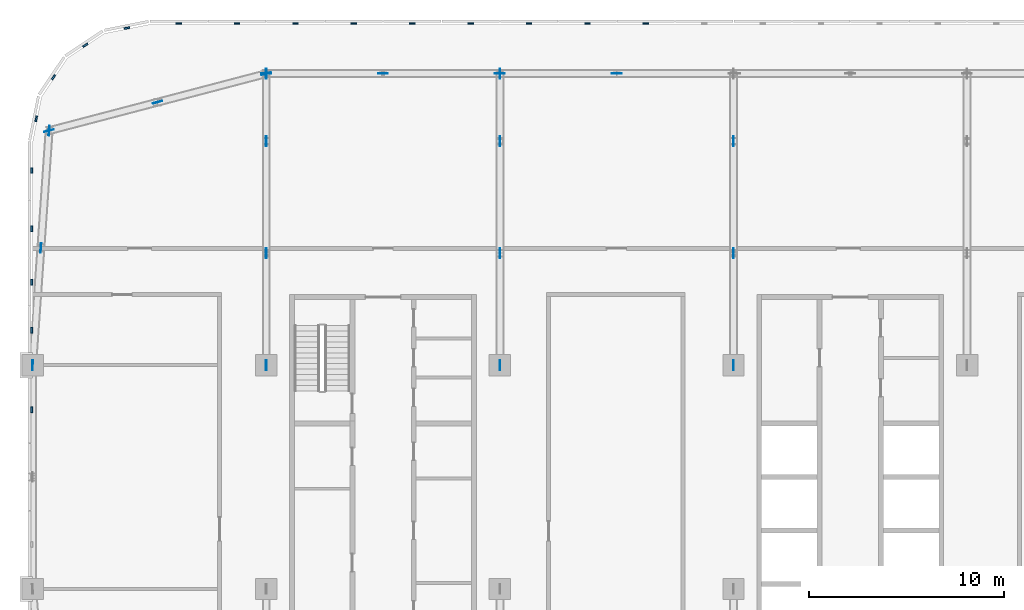
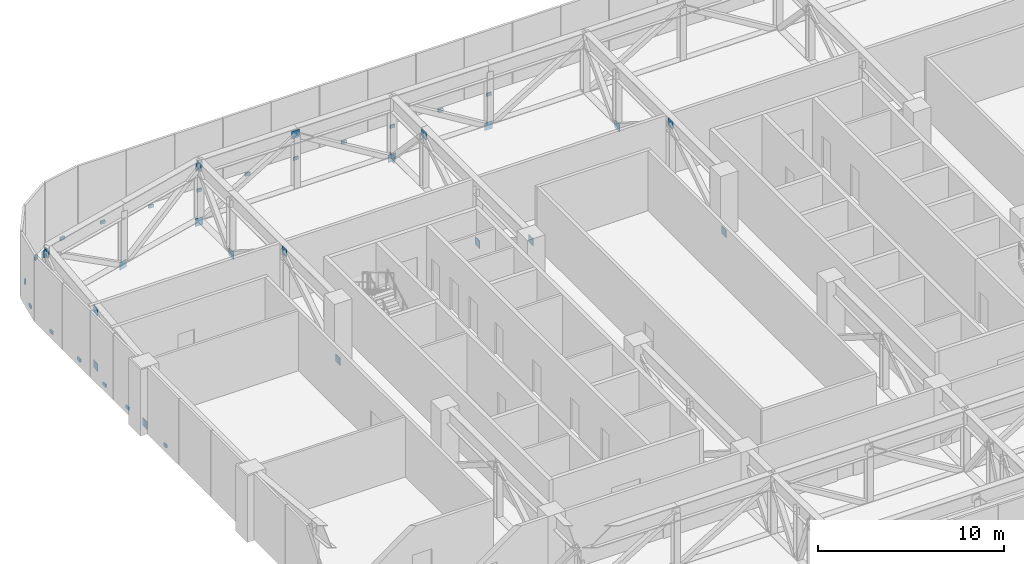
# One storey, part 19 of 28: 41 discrete accessories.
"""IFC4 building model written with IfcOpenShell, lengths in metres."""

from ifc_helpers import new_model, si_unit, direction, frame, origin, origin_2d, place, context, subcontext, project, spatial, rectangle, extrude, material, layer, layer_set, type_object, element, save


model = new_model("IFC4")

# Units and contexts
model_context = context("Model", 3, precision=1e-05, world=origin(), true_north=direction((0.0, 1.0)))
body_context = subcontext(model_context, "Body", "Model", "MODEL_VIEW")
ifc_project = project(units=[si_unit("LENGTHUNIT", "METRE"), si_unit("AREAUNIT", "SQUARE_METRE"), si_unit("VOLUMEUNIT", "CUBIC_METRE"), si_unit("PLANEANGLEUNIT", "RADIAN"), si_unit("MASSUNIT", "GRAM", prefix="KILO")], contexts=[model_context])

# Site, building, storey
site_placement = place(None, origin())
site = spatial("IfcSite", under=ifc_project, at=site_placement, CompositionType="ELEMENT")
building_placement = place(site_placement, origin())
building = spatial("IfcBuilding", under=site, at=building_placement, Name="Mahtab Terrace Research Tower", CompositionType="ELEMENT")
storey_placement = place(building_placement, frame((0.0, 0.0, 224.300048828125)))
storey = spatial("IfcBuildingStorey", under=building, at=storey_placement, Name="L54", CompositionType="ELEMENT", Elevation=224.300048828125)

# Discrete accessories
ifc_material_1 = material(Name="Black anodised aluminium", Category="aluminium")
discrete_accessory_type_1 = type_object("IfcDiscreteAccessoryType", Name="Facade bracket", PredefinedType="BRACKET", material=ifc_material_1)
for number, where, z_axis, x_axis, name in (
    (1, (-10.5, 29.044921875, -0.2998046875), (0.0, 0.0, 1.0), (-1.0, 0.0, 0.0), "Louvre bracket L54 26"),
    (2, (-13.5, 29.044921875, -0.2998046875), (0.0, 0.0, 1.0), (-1.0, 0.0, 0.0), "Louvre bracket L54 27"),
    (3, (-16.5, 29.044921875, -0.2998046875), (0.0, 0.0, 1.0), (-1.0, 0.0, 0.0), "Louvre bracket L54 28"),
    (4, (-19.5, 29.044921875, -0.2998046875), (0.0, 0.0, 1.0), (-1.0, 0.0, 0.0), "Louvre bracket L54 29"),
    (5, (-22.5, 29.044921875, -0.2998046875), (0.0, 0.0, 1.0), (-1.0, 0.0, 0.0), "Louvre bracket L54 30"),
    (6, (-25.5, 29.044921875, -0.2998046875), (0.0, 0.0, 1.0), (-1.0, 0.0, 0.0), "Louvre bracket L54 31"),
    (7, (-28.5, 29.044921875, -0.2998046875), (0.0, 0.0, 1.0), (-1.0, 0.0, 0.0), "Louvre bracket L54 32"),
    (8, (-31.5, 29.044921875, -0.2998046875), (0.0, 0.0, 1.0), (-1.0, 0.0, 0.0), "Louvre bracket L54 33"),
    (9, (-34.5, 29.044921875, -0.2998046875), (0.0, 0.0, 1.0), (-1.0, 0.0, 0.0), "Louvre bracket L54 34"),
    (10, (-37.15673828125, 28.815673828125, -0.2998046875), (0.0, 0.0, 1.0), (-0.980760981187, -0.195212442692, 0.0), "Louvre bracket L54 35"),
    (11, (-39.29443359375, 27.930419921875, -0.2998046875), (0.0, 0.0, 1.0), (-0.831655794326, -0.555291490808, 0.0), "Louvre bracket L54 36"),
    (12, (-40.930419921875, 26.29443359375, -0.2998046875), (0.0, 0.0, 1.0), (-0.555291490808, -0.831655794326, 0.0), "Louvre bracket L54 37"),
    (13, (-41.815673828125, 24.15673828125, -0.2998046875), (0.0, 0.0, 1.0), (-0.195212442692, -0.980760981187, 0.0), "Louvre bracket L54 38"),
    (14, (-42.044921875, 21.5, -0.2998046875), (0.0, 0.0, 1.0), (0.0, -1.0, 0.0), "Louvre bracket L54 39"),
    (15, (-42.044921875, 18.5, -0.2998046875), (0.0, 0.0, 1.0), (0.0, -1.0, 0.0), "Louvre bracket L54 40"),
    (16, (-42.044921875, 15.762451171875, -0.2998046875), (0.0, 0.0, 1.0), (0.0, -1.0, 0.0), "Louvre bracket L54 41"),
    (17, (-42.044921875, 13.28759765625, -0.2998046875), (0.0, 0.0, 1.0), (0.0, -1.0, 0.0), "Louvre bracket L54 42"),
    (18, (-42.044921875, 9.216552734375, -0.2998046875), (0.0, 0.0, 1.0), (0.0, -1.0, 0.0), "Louvre bracket L54 43"),
):
    element("IfcDiscreteAccessory", number, at=place(storey_placement, frame(where, z_axis=z_axis, x_axis=x_axis)), inside=storey, type_object=discrete_accessory_type_1, Name=name, PredefinedType="BRACKET", context=body_context, shape_type="SweptSolid", body=[
        extrude(rectangle(XDim=0.300048828125, YDim=0.090087890625, at=origin_2d()), origin(), (0.0, 0.0, 1.0), 0.199951171875),
    ])
ifc_material_2 = material(Name="Steel ASTM A992 Gr 50", Category="steel")
ifc_layer = layer(ifc_material_2, 0.030029296875)
ifc_layer_set = layer_set([ifc_layer], Name="Gusset plate 500x500x30")
discrete_accessory_type_2 = type_object("IfcDiscreteAccessoryType", Name="Gusset plate 500x500x30", PredefinedType="USERDEFINED", material=ifc_layer_set)
for number, where, z_axis, x_axis, name in (
    (19, (-30.0, 26.472900390625, -0.43798828125), (0.0, 0.0, 1.0), (1.0, 0.0, 0.0), "Gusset plate"),
    (20, (-24.0, 26.472900390625, 3.20947265625), (0.0, 0.0, 1.0), (1.0, 0.0, 0.0), "Gusset plate"),
    (21, (-18.0, 26.472900390625, -0.43798828125), (0.0, 0.0, 1.0), (1.0, 0.0, 0.0), "Gusset plate"),
    (22, (-12.0, 26.472900390625, -0.43798828125), (0.0, 0.0, 1.0), (1.0, 0.0, 0.0), "Gusset plate"),
    (23, (-41.154052734375, 23.5458984375, 3.20947265625), (0.0, 0.0, 1.0), (0.96727218154, 0.253741062539, 0.0), "Gusset plate"),
    (24, (-35.576904296875, 25.009033203125, -0.43798828125), (0.0, 0.0, 1.0), (0.96727218154, 0.253741062539, 0.0), "Gusset plate"),
    (25, (-30.0, 26.472900390625, 3.20947265625), (0.0, 0.0, 1.0), (0.967227880638, 0.253909879517, 0.0), "Gusset plate"),
    (26, (-42.0, 11.5, -0.43798828125), (0.0, 0.0, 1.0), (0.070052453881, 0.997543309188, 0.0), "Gusset plate"),
    (27, (-41.576904296875, 17.52294921875, -0.43798828125), (0.0, 0.0, 1.0), (0.070052453881, 0.997543309188, 0.0), "Gusset plate"),
    (28, (-41.576904296875, 17.52294921875, 3.20947265625), (0.0, 0.0, 1.0), (0.070052453881, 0.997543309188, 0.0), "Gusset plate"),
    (29, (-41.154052734375, 23.5458984375, 3.20947265625), (0.0, 0.0, 1.0), (0.070052453881, 0.997543309188, 0.0), "Gusset plate"),
    (30, (-42.0, 11.5, -0.43798828125), (0.0, 0.0, 1.0), (0.0, 1.0, 0.0), "Gusset plate"),
    (31, (-30.0, 11.5, -0.43798828125), (0.0, 0.0, 1.0), (0.0, 1.0, 0.0), "Gusset plate"),
    (32, (-30.0, 17.25, 3.20947265625), (0.0, 0.0, 1.0), (0.0, 1.0, 0.0), "Gusset plate"),
    (33, (-30.0, 23.0, -0.43798828125), (0.0, 0.0, 1.0), (0.0, 1.0, 0.0), "Gusset plate"),
    (34, (-30.0, 26.472900390625, 3.20947265625), (0.0, 0.0, 1.0), (0.0, 1.0, 0.0), "Gusset plate"),
    (35, (-18.0, 11.5, 3.20947265625), (0.0, 0.0, 1.0), (0.0, 1.0, 0.0), "Gusset plate"),
    (36, (-18.0, 17.25, -0.43798828125), (0.0, 0.0, 1.0), (0.0, 1.0, 0.0), "Gusset plate"),
    (37, (-18.0, 23.0, 3.20947265625), (0.0, 0.0, 1.0), (0.0, 1.0, 0.0), "Gusset plate"),
    (38, (-18.0, 26.472900390625, -0.43798828125), (0.0, 0.0, 1.0), (0.0, 1.0, 0.0), "Gusset plate"),
    (39, (-6.0, 11.5, -0.43798828125), (0.0, 0.0, 1.0), (0.0, 1.0, 0.0), "Gusset plate"),
    (40, (-6.0, 17.25, 3.20947265625), (0.0, 0.0, 1.0), (0.0, 1.0, 0.0), "Gusset plate"),
    (41, (-6.0, 23.0, -0.43798828125), (0.0, 0.0, 1.0), (0.0, 1.0, 0.0), "Gusset plate"),
):
    element("IfcDiscreteAccessory", number, at=place(storey_placement, frame(where, z_axis=z_axis, x_axis=x_axis)), inside=storey, type_object=discrete_accessory_type_2, Name=name, ObjectType="GUSSET PLATE", PredefinedType="USERDEFINED", context=body_context, shape_type="SweptSolid", body=[
        extrude(rectangle(XDim=0.5, YDim=0.030029296875, at=origin_2d()), origin(), (0.0, 0.0, 1.0), 0.5),
    ])

save(model, "model.ifc")
